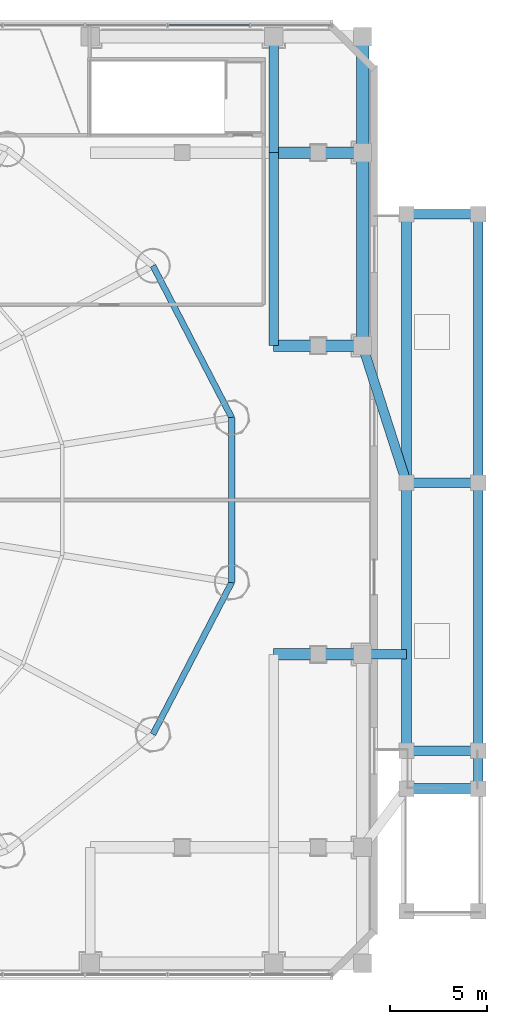
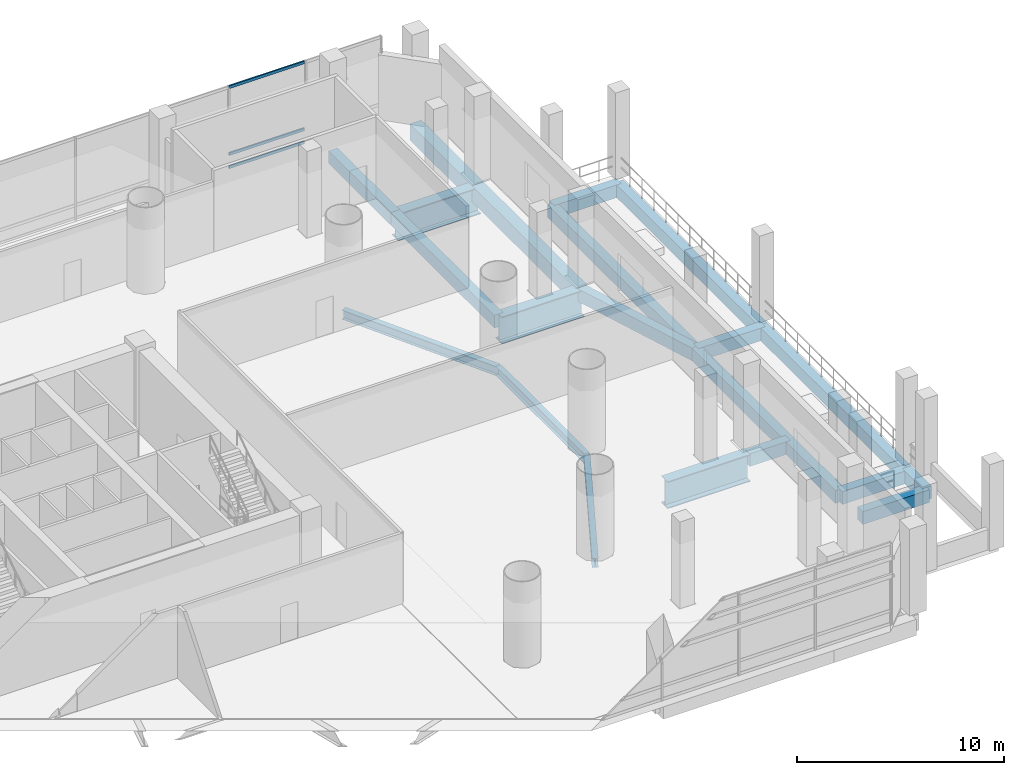
# One storey, part 17 of 31: 21 beams, 3 members, 1 element without a shape of its own.
"""IFC4 building model written with IfcOpenShell, lengths in metres."""

from ifc_helpers import new_model, si_unit, direction, frame, origin, origin_2d, place, context, subcontext, project, spatial, rectangle, hollow_rectangle, i_section, extrude, source, transform, mapped, material, material_profile, profile_set, type_object, element, aggregate, save


model = new_model("IFC4")

# Units and contexts
model_context = context("Model", 3, precision=1e-05, world=origin(), true_north=direction((-0.2419218956, 0.970295726276)))
body_context = subcontext(model_context, "Body", "Model", "MODEL_VIEW")
ifc_project = project(units=[si_unit("LENGTHUNIT", "METRE"), si_unit("AREAUNIT", "SQUARE_METRE"), si_unit("VOLUMEUNIT", "CUBIC_METRE"), si_unit("PLANEANGLEUNIT", "RADIAN"), si_unit("MASSUNIT", "GRAM", prefix="KILO")], contexts=[model_context])

# Site, building, storey
site_placement = place(None, origin())
site = spatial("IfcSite", under=ifc_project, at=site_placement, CompositionType="ELEMENT")
building_placement = place(site_placement, origin())
building = spatial("IfcBuilding", under=site, at=building_placement, Name="Cobrevalo Terracotta Tower", CompositionType="ELEMENT")
storey_placement = place(building_placement, frame((0.0, 0.0, 18.89990234375)))
storey = spatial("IfcBuildingStorey", under=building, at=storey_placement, Name="L04", CompositionType="ELEMENT", Elevation=18.89990234375)

# Beams
ifc_material_1 = material(Name="Concrete C50", Category="concrete")
ifc_material_profile_1 = material_profile(ifc_material_1, rectangle(XDim=0.64990234375, YDim=0.949951171875, at=origin_2d()), Name="RC BM 650x950")
ifc_profile_set_1 = profile_set([ifc_material_profile_1], Name="Concrete C50")
beam_type_1 = type_object("IfcBeamType", Name="Structural Spandrel RC BM 650x950 (Concrete C50)", PredefinedType="SPANDREL", material=ifc_profile_set_1)
beam_1_placement = place(storey_placement, frame((71.60009765625, 34.800048828125, -0.9248046875), z_axis=(0.0, 1.0, 0.0), x_axis=(-1.0, 0.0, 0.0)))
element("IfcBeam", 1, at=beam_1_placement, inside=storey, type_object=beam_type_1, Name="L04 podium grid beam G9-GE to G9-GF", PredefinedType="SPANDREL", context=body_context, shape_type="SweptSolid", body=[
    extrude(rectangle(XDim=0.64990234375, YDim=0.949951171875, at=origin_2d()), origin(), (0.0, 0.0, 1.0), 10.0),
])
beam_2_placement = place(storey_placement, frame((71.60009765625, 44.800048828125, -0.9248046875), z_axis=(0.0, 1.0, 0.0), x_axis=(-1.0, 0.0, 0.0)))
element("IfcBeam", 2, at=beam_2_placement, inside=storey, type_object=beam_type_1, Name="L04 podium grid beam G9-GF to G9-GG", PredefinedType="SPANDREL", context=body_context, shape_type="SweptSolid", body=[
    extrude(rectangle(XDim=0.64990234375, YDim=0.949951171875, at=origin_2d()), origin(), (0.0, 0.0, 1.0), 6.0),
])
ifc_material_2 = material(Name="Steel S355", Category="steel")
ifc_material_profile_2 = material_profile(ifc_material_2, i_section(OverallWidth=0.31201171875, OverallDepth=0.54296875, WebThickness=0.0126953125, FlangeThickness=0.020263671875, at=origin_2d()), Name="W 530x150")
ifc_profile_set_2 = profile_set([ifc_material_profile_2], Name="Steel S355")
beam_type_2 = type_object("IfcBeamType", Name="Structural Spandrel W 530x150 (Steel S355)", PredefinedType="SPANDREL", material=ifc_profile_set_2)
for number, where, z_axis, x_axis, name in (
    (3, (64.824462890625, 31.062744140625, -0.721435546875), (-0.460285838799, 0.88777077368, 0.0), (-0.88777077368, -0.460285838799, 0.0), "L04 perimeter ring spandrel 01"),
    (4, (60.74072265625, 14.660888671875, -0.721435546875), (0.460285838799, 0.88777077368, 0.0), (-0.88777077368, 0.460285838799, 0.0), "L04 perimeter ring spandrel 15"),
):
    element("IfcBeam", number, at=place(storey_placement, frame(where, z_axis=z_axis, x_axis=x_axis)), inside=storey, type_object=beam_type_2, Name=name, PredefinedType="SPANDREL", context=body_context, shape_type="SweptSolid", body=[
        extrude(i_section(OverallWidth=0.31201171875, OverallDepth=0.54296875, WebThickness=0.0126953125, FlangeThickness=0.020263671875, at=origin_2d()), origin(), (0.0, 0.0, 1.0), 8.8720703125),
    ])
beam_3_placement = place(storey_placement, frame((64.824462890625, 22.537353515625, -0.721435546875), z_axis=(0.0, 1.0, 0.0), x_axis=(-1.0, 0.0, 0.0)))
element("IfcBeam", 5, at=beam_3_placement, inside=storey, type_object=beam_type_2, Name="L04 perimeter ring spandrel 16", PredefinedType="SPANDREL", context=body_context, shape_type="SweptSolid", body=[
    extrude(i_section(OverallWidth=0.31201171875, OverallDepth=0.54296875, WebThickness=0.0126953125, FlangeThickness=0.020263671875, at=origin_2d()), origin(), (0.0, 0.0, 1.0), 8.525390625),
])
ifc_material_profile_3 = material_profile(ifc_material_1, rectangle(XDim=0.5, YDim=0.75, at=origin_2d()), Name="RC BM 500x750")
ifc_profile_set_3 = profile_set([ifc_material_profile_3], Name="Concrete C50")
beam_type_3 = type_object("IfcBeamType", Name="Structural T Beam RC BM 500x750 (Concrete C50)", PredefinedType="T_BEAM", material=ifc_profile_set_3)
beam_4_placement = place(storey_placement, frame((67.0, 34.800048828125, -0.824951171875), z_axis=(0.0, 1.0, 0.0), x_axis=(-1.0, 0.0, 0.0)))
element("IfcBeam", 6, at=beam_4_placement, inside=storey, type_object=beam_type_3, Name="L04 podium grid beam G8-GE to G8-GF", PredefinedType="T_BEAM", context=body_context, shape_type="SweptSolid", body=[
    extrude(rectangle(XDim=0.5, YDim=0.75, at=origin_2d()), origin(), (0.0, 0.0, 1.0), 10.0),
])
beam_5_placement = place(storey_placement, frame((67.0, 44.800048828125, -0.824951171875), z_axis=(0.0, 1.0, 0.0), x_axis=(-1.0, 0.0, 0.0)))
element("IfcBeam", 7, at=beam_5_placement, inside=storey, type_object=beam_type_3, Name="L04 podium grid beam G8-GF to G8-GG", PredefinedType="T_BEAM", context=body_context, shape_type="SweptSolid", body=[
    extrude(rectangle(XDim=0.5, YDim=0.75, at=origin_2d()), origin(), (0.0, 0.0, 1.0), 6.0),
])
beam_6_placement = place(storey_placement, frame((77.60009765625, 11.85009765625, -0.824951171875), z_axis=(0.0, 1.0, 0.0), x_axis=(-1.0, 0.0, 0.0)))
element("IfcBeam", 8, at=beam_6_placement, inside=storey, type_object=beam_type_3, Name="L04 garden stair landing side beam E2", PredefinedType="T_BEAM", context=body_context, shape_type="SweptSolid", body=[
    extrude(rectangle(XDim=0.5, YDim=0.75, at=origin_2d()), origin(), (0.0, 0.0, 1.0), 1.949951171875),
])
for number, where, z_axis, x_axis, name in (
    (9, (73.8798828125, 11.85009765625, -0.824951171875), (1.0, 0.0, 0.0), (0.0, 1.0, 0.0), "L04 garden stair shaft header beam ES"),
    (10, (73.8798828125, 13.800048828125, -0.824951171875), (1.0, 0.0, 0.0), (0.0, 1.0, 0.0), "L04 garden stair shaft header beam EN"),
):
    element("IfcBeam", number, at=place(storey_placement, frame(where, z_axis=z_axis, x_axis=x_axis)), inside=storey, type_object=beam_type_3, Name=name, PredefinedType="T_BEAM", context=body_context, shape_type="SweptSolid", body=[
        extrude(rectangle(XDim=0.5, YDim=0.75, at=origin_2d()), origin(), (0.0, 0.0, 1.0), 3.72021484375),
    ])
beam_7_placement = place(storey_placement, frame((73.8798828125, 13.800048828125, -0.824951171875), z_axis=(0.0, 1.0, 0.0), x_axis=(-1.0, 0.0, 0.0)))
element("IfcBeam", 11, at=beam_7_placement, inside=storey, type_object=beam_type_3, Name="L04 garden wing edge beam E1-1", PredefinedType="T_BEAM", context=body_context, shape_type="SweptSolid", body=[
    extrude(rectangle(XDim=0.5, YDim=0.75, at=origin_2d()), origin(), (0.0, 0.0, 1.0), 13.89990234375),
])
beam_8_placement = place(storey_placement, frame((73.8798828125, 27.699951171875, -0.824951171875), z_axis=(0.0, 1.0, 0.0), x_axis=(-1.0, 0.0, 0.0)))
element("IfcBeam", 12, at=beam_8_placement, inside=storey, type_object=beam_type_3, Name="L04 garden wing edge beam E1-2", PredefinedType="T_BEAM", context=body_context, shape_type="SweptSolid", body=[
    extrude(rectangle(XDim=0.5, YDim=0.75, at=origin_2d()), origin(), (0.0, 0.0, 1.0), 13.900146484375),
])
beam_9_placement = place(storey_placement, frame((77.60009765625, 13.800048828125, -0.824951171875), z_axis=(0.0, 1.0, 0.0), x_axis=(-1.0, 0.0, 0.0)))
element("IfcBeam", 13, at=beam_9_placement, inside=storey, type_object=beam_type_3, Name="L04 garden wing edge beam E2-1", PredefinedType="T_BEAM", context=body_context, shape_type="SweptSolid", body=[
    extrude(rectangle(XDim=0.5, YDim=0.75, at=origin_2d()), origin(), (0.0, 0.0, 1.0), 13.89990234375),
])
beam_10_placement = place(storey_placement, frame((77.60009765625, 27.699951171875, -0.824951171875), z_axis=(0.0, 1.0, 0.0), x_axis=(-1.0, 0.0, 0.0)))
element("IfcBeam", 14, at=beam_10_placement, inside=storey, type_object=beam_type_3, Name="L04 garden wing edge beam E2-2", PredefinedType="T_BEAM", context=body_context, shape_type="SweptSolid", body=[
    extrude(rectangle(XDim=0.5, YDim=0.75, at=origin_2d()), origin(), (0.0, 0.0, 1.0), 13.900146484375),
])
for number, where, z_axis, x_axis, name in (
    (15, (73.8798828125, 27.699951171875, -0.824951171875), (1.0, 0.0, 0.0), (0.0, 1.0, 0.0), "L04 garden wing cross beam E1"),
    (16, (73.8798828125, 41.60009765625, -0.824951171875), (1.0, 0.0, 0.0), (0.0, 1.0, 0.0), "L04 garden wing cross beam E2"),
):
    element("IfcBeam", number, at=place(storey_placement, frame(where, z_axis=z_axis, x_axis=x_axis)), inside=storey, type_object=beam_type_3, Name=name, PredefinedType="T_BEAM", context=body_context, shape_type="SweptSolid", body=[
        extrude(rectangle(XDim=0.5, YDim=0.75, at=origin_2d()), origin(), (0.0, 0.0, 1.0), 3.72021484375),
    ])
beam_11_placement = place(storey_placement, frame((71.60009765625, 18.800048828125, -0.824951171875), z_axis=(1.0, 0.0, 0.0), x_axis=(0.0, 1.0, 0.0)))
element("IfcBeam", 17, at=beam_11_placement, inside=storey, type_object=beam_type_3, Name="L04 garden deck tie beam E2", PredefinedType="T_BEAM", context=body_context, shape_type="SweptSolid", body=[
    extrude(rectangle(XDim=0.5, YDim=0.75, at=origin_2d()), origin(), (0.0, 0.0, 1.0), 2.27978515625),
])
beam_12_placement = place(storey_placement, frame((71.60009765625, 34.800048828125, -0.824951171875), z_axis=(0.305718790158, -0.952121852151, 0.0), x_axis=(0.952121852151, 0.305718790158, 0.0)))
element("IfcBeam", 18, at=beam_12_placement, inside=storey, type_object=beam_type_3, Name="L04 garden deck tie beam E3", PredefinedType="T_BEAM", context=body_context, shape_type="SweptSolid", body=[
    extrude(rectangle(XDim=0.5, YDim=0.75, at=origin_2d()), origin(), (0.0, 0.0, 1.0), 7.45703125),
])
ifc_material_profile_4 = material_profile(ifc_material_2, i_section(OverallWidth=0.60009765625, OverallDepth=1.60009765625, WebThickness=0.031982421875, FlangeThickness=0.054931640625, at=origin_2d()), Name="PG 1600x600")
ifc_profile_set_4 = profile_set([ifc_material_profile_4], Name="Steel S355")
beam_type_4 = type_object("IfcBeamType", Name="Transfer Girder PG 1600x600 (Steel S355)", PredefinedType="BEAM", material=ifc_profile_set_4)
for number, where, z_axis, x_axis, name in (
    (19, (67.0, 18.800048828125, -1.25), (1.0, 0.0, 0.0), (0.0, 1.0, 0.0), "L04 podium transfer girder TG-E3"),
    (20, (67.0, 34.800048828125, -1.25), (1.0, 0.0, 0.0), (0.0, 1.0, 0.0), "L04 podium transfer girder TG-E4"),
    (21, (67.0, 44.800048828125, -1.25), (1.0, 0.0, 0.0), (0.0, 1.0, 0.0), "L04 podium transfer girder TG-E5"),
):
    element("IfcBeam", number, at=place(storey_placement, frame(where, z_axis=z_axis, x_axis=x_axis)), inside=storey, type_object=beam_type_4, Name=name, PredefinedType="BEAM", context=body_context, shape_type="SweptSolid", body=[
        extrude(i_section(OverallWidth=0.60009765625, OverallDepth=1.60009765625, WebThickness=0.031982421875, FlangeThickness=0.054931640625, at=origin_2d()), origin(), (0.0, 0.0, 1.0), 4.60009765625),
    ])

# Curtain wall, members
ifc_material_3 = material(Name="Anodized aluminium", Category="aluminium")
curtain_wall_type = type_object("IfcCurtainWallType", Name="Podium gallery & conservatory curtain wall CW-S2", PredefinedType="NOTDEFINED", material=ifc_material_3)
curtain_wall_placement = place(storey_placement, origin())
curtain_wall = element("IfcCurtainWall", 22, at=curtain_wall_placement, inside=storey, type_object=curtain_wall_type, Name="L04 curtain wall CW-POD-L04-N", PredefinedType="NOTDEFINED")
ifc_material_profile_5 = material_profile(ifc_material_3, hollow_rectangle(XDim=0.080078125, YDim=0.1650390625, WallThickness=0.00439453125, at=origin_2d()), Name="CWT 80x165")
ifc_profile_set_5 = profile_set([ifc_material_profile_5], Name="Anodized aluminium")
member_type = type_object("IfcMemberType", Name="Storefront & atrium aluminium transom 80x165", PredefinedType="USERDEFINED", material=ifc_profile_set_5)
shared_shape = source(origin(), body_context, "Body", "SweptSolid", [
    extrude(hollow_rectangle(XDim=0.080078125, YDim=0.1650390625, WallThickness=0.00439453125, at=origin_2d()), origin(), (0.0, 0.0, 1.0), 4.193359375),
])
member_1_placement = place(storey_placement, frame((65.736572265625, 51.39990234375, 0.050048828125), z_axis=(-1.0, 0.0, 0.0), x_axis=(0.0, -1.0, 0.0)))
member_1 = element("IfcMember", 23, at=member_1_placement, type_object=member_type, Name="CW-POD-L04-N transom B02-T1", ObjectType="TRANSOM", PredefinedType="USERDEFINED", context=body_context, shape_type="MappedRepresentation", body=[
    mapped(shared_shape, transform((0.0, 0.0, 0.0), scale=1.0)),
])
member_2_placement = place(storey_placement, frame((65.736572265625, 51.39990234375, 0.820068359375), z_axis=(-1.0, 0.0, 0.0), x_axis=(0.0, -1.0, 0.0)))
member_2 = element("IfcMember", 24, at=member_2_placement, type_object=member_type, Name="CW-POD-L04-N transom B02-T2", ObjectType="TRANSOM", PredefinedType="USERDEFINED", context=body_context, shape_type="MappedRepresentation", body=[
    mapped(shared_shape, transform((0.0, 0.0, 0.0), scale=1.0)),
])
member_3_placement = place(storey_placement, frame((65.736572265625, 51.39990234375, 4.77001953125), z_axis=(-1.0, 0.0, 0.0), x_axis=(0.0, -1.0, 0.0)))
member_3 = element("IfcMember", 25, at=member_3_placement, type_object=member_type, Name="CW-POD-L04-N transom B02-T3", ObjectType="TRANSOM", PredefinedType="USERDEFINED", context=body_context, shape_type="MappedRepresentation", body=[
    mapped(shared_shape, transform((0.0, 0.0, 0.0), scale=1.0)),
])
aggregate(curtain_wall, [member_1, member_2, member_3])

save(model, "model.ifc")
